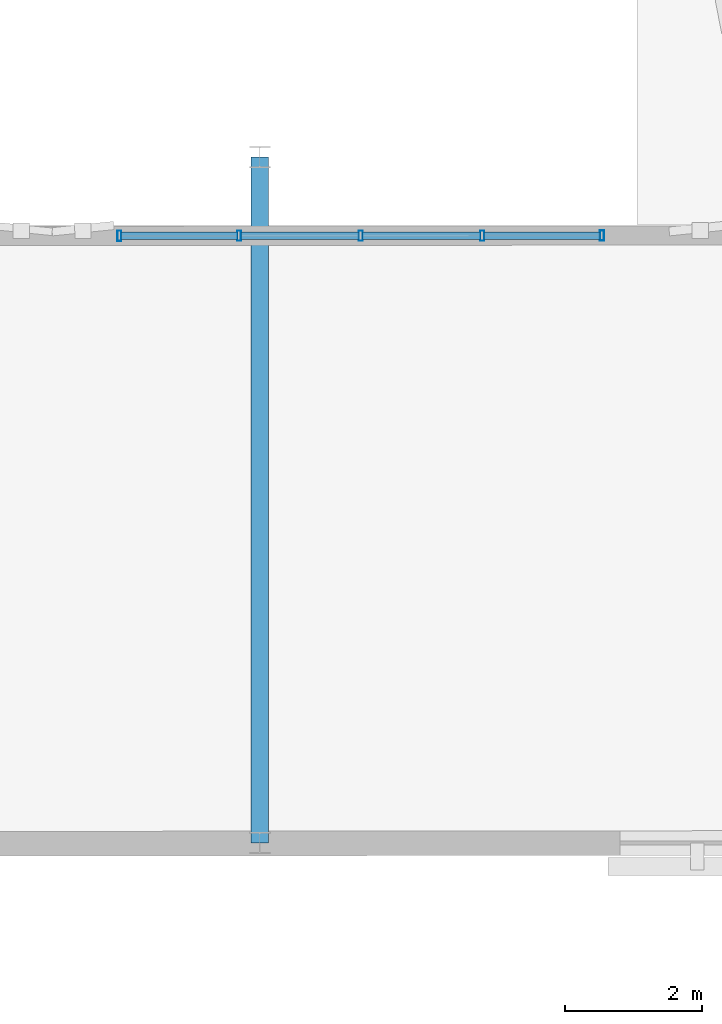
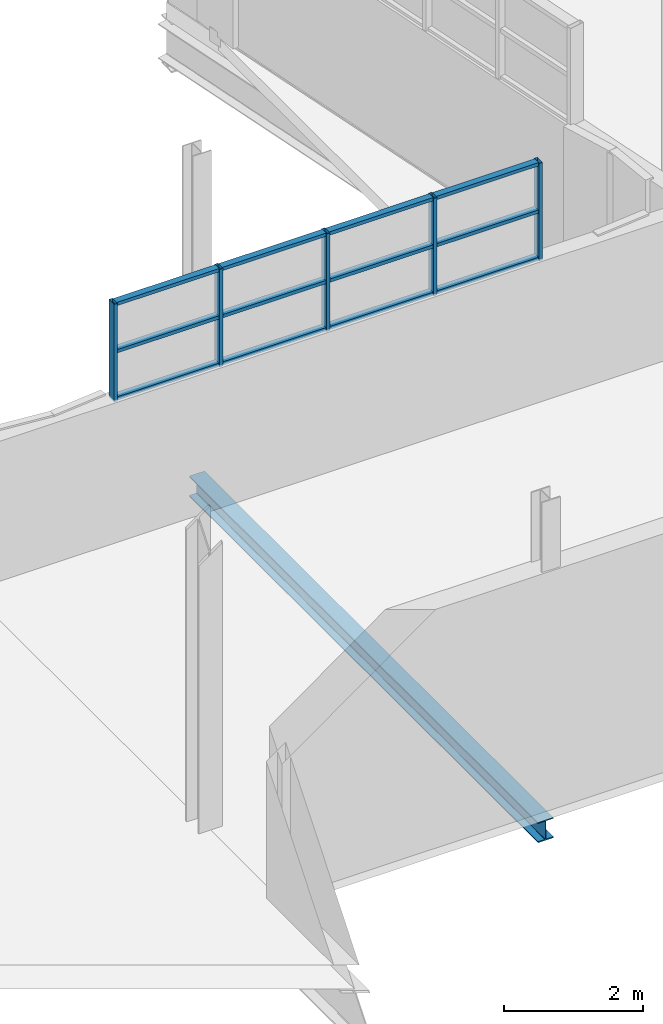
# One storey, part 16 of 142: 17 members, 1 beam, 1 element without a shape of its own.
"""IFC4 building model written with IfcOpenShell, lengths in metres."""

from ifc_helpers import new_model, si_unit, direction, frame, origin, origin_2d, place, context, subcontext, project, spatial, hollow_rectangle, i_section, extrude, material, layer, layer_set, material_profile, profile_set, type_object, element, aggregate, save


model = new_model("IFC4")

# Units and contexts
model_context = context("Model", 3, precision=1e-05, world=origin(), true_north=direction((0.0, 1.0)))
body_context = subcontext(model_context, "Body", "Model", "MODEL_VIEW")
ifc_project = project(units=[si_unit("LENGTHUNIT", "METRE"), si_unit("AREAUNIT", "SQUARE_METRE"), si_unit("VOLUMEUNIT", "CUBIC_METRE"), si_unit("PLANEANGLEUNIT", "RADIAN"), si_unit("MASSUNIT", "GRAM", prefix="KILO"), si_unit("THERMODYNAMICTEMPERATUREUNIT", "KELVIN"), si_unit("POWERUNIT", "WATT")], contexts=[model_context])

# Site, building, storey
site_placement = place(None, origin())
site = spatial("IfcSite", under=ifc_project, at=site_placement, CompositionType="ELEMENT")
building_placement = place(site_placement, origin())
building = spatial("IfcBuilding", under=site, at=building_placement, Name="Zelmaris Science Centre", CompositionType="ELEMENT")
storey_placement = place(building_placement, frame((0.0, 0.0, 5.39990234375)))
storey = spatial("IfcBuildingStorey", under=building, at=storey_placement, Name="L01", CompositionType="ELEMENT", Elevation=5.39990234375)

# Curtain wall, members
ifc_material_1 = material(Name="Anodised architectural aluminium 6063-T6", Category="aluminium")
ifc_layer = layer(ifc_material_1, 0.219970703125, Name="Anodised architectural aluminium 6063-T6")
ifc_layer_set = layer_set([ifc_layer], Name="Anodised architectural aluminium 6063-T6")
curtain_wall_type = type_object("IfcCurtainWallType", Name="Curtain Wall CW-04", PredefinedType="USERDEFINED", material=ifc_layer_set)
curtain_wall_placement = place(storey_placement, origin())
curtain_wall = element("IfcCurtainWall", 1, at=curtain_wall_placement, inside=storey, type_object=curtain_wall_type, Name="L01 Clerestory curtain wall 192", ObjectType="GLAZED CURTAIN WALL", PredefinedType="USERDEFINED")
ifc_material_profile_1 = material_profile(ifc_material_1, hollow_rectangle(XDim=0.06005859375, YDim=0.14990234375, WallThickness=0.00341796875, at=origin_2d()), Name="ALU-MUL-60X150")
ifc_profile_set_1 = profile_set([ifc_material_profile_1], Name="Anodised architectural aluminium 6063-T6")
member_type_1 = type_object("IfcMemberType", Name="ALU-MUL-60X150", PredefinedType="MULLION", material=ifc_profile_set_1)
member_1_placement = place(storey_placement, frame((56.452880859375, 30.8515625, 2.420166015625), z_axis=(0.0, 0.0, 1.0), x_axis=(0.99999980697, 0.000621337174, 0.0)))
member_1 = element("IfcMember", 2, at=member_1_placement, type_object=member_type_1, Name="CW-04 mullion 1", PredefinedType="MULLION", context=body_context, shape_type="SweptSolid", body=[
    extrude(hollow_rectangle(XDim=0.06005859375, YDim=0.14990234375, WallThickness=0.00341796875, at=origin_2d()), origin(), (0.0, 0.0, 1.0), 1.7080078125),
])
member_2_placement = place(storey_placement, frame((58.19921875, 30.852783203125, 2.420166015625), z_axis=(0.0, 0.0, 1.0), x_axis=(0.99999980697, 0.000621337174, 0.0)))
member_2 = element("IfcMember", 3, at=member_2_placement, type_object=member_type_1, Name="CW-04 mullion 2", PredefinedType="MULLION", context=body_context, shape_type="SweptSolid", body=[
    extrude(hollow_rectangle(XDim=0.06005859375, YDim=0.14990234375, WallThickness=0.00341796875, at=origin_2d()), origin(), (0.0, 0.0, 1.0), 1.7080078125),
])
member_3_placement = place(storey_placement, frame((59.9716796875, 30.853759765625, 2.420166015625), z_axis=(0.0, 0.0, 1.0), x_axis=(0.99999980697, 0.000621337174, 0.0)))
member_3 = element("IfcMember", 4, at=member_3_placement, type_object=member_type_1, Name="CW-04 mullion 3", PredefinedType="MULLION", context=body_context, shape_type="SweptSolid", body=[
    extrude(hollow_rectangle(XDim=0.06005859375, YDim=0.14990234375, WallThickness=0.00341796875, at=origin_2d()), origin(), (0.0, 0.0, 1.0), 1.7080078125),
])
member_4_placement = place(storey_placement, frame((61.744140625, 30.85498046875, 2.420166015625), z_axis=(0.0, 0.0, 1.0), x_axis=(0.99999980697, 0.000621337174, 0.0)))
member_4 = element("IfcMember", 5, at=member_4_placement, type_object=member_type_1, Name="CW-04 mullion 4", PredefinedType="MULLION", context=body_context, shape_type="SweptSolid", body=[
    extrude(hollow_rectangle(XDim=0.06005859375, YDim=0.14990234375, WallThickness=0.00341796875, at=origin_2d()), origin(), (0.0, 0.0, 1.0), 1.7080078125),
])
member_5_placement = place(storey_placement, frame((63.49072265625, 30.85595703125, 2.420166015625), z_axis=(0.0, 0.0, 1.0), x_axis=(0.99999980697, 0.000621337174, 0.0)))
member_5 = element("IfcMember", 6, at=member_5_placement, type_object=member_type_1, Name="CW-04 mullion 5", PredefinedType="MULLION", context=body_context, shape_type="SweptSolid", body=[
    extrude(hollow_rectangle(XDim=0.06005859375, YDim=0.14990234375, WallThickness=0.00341796875, at=origin_2d()), origin(), (0.0, 0.0, 1.0), 1.7080078125),
])
ifc_material_profile_2 = material_profile(ifc_material_1, hollow_rectangle(XDim=0.06005859375, YDim=0.110107421875, WallThickness=0.0029296875, at=origin_2d()), Name="ALU-TRN-60X110")
ifc_profile_set_2 = profile_set([ifc_material_profile_2], Name="Anodised architectural aluminium 6063-T6")
member_type_2 = type_object("IfcMemberType", Name="ALU-TRN-60X110", PredefinedType="USERDEFINED", material=ifc_profile_set_2)
member_6_placement = place(storey_placement, frame((56.478759765625, 30.8515625, 2.446044921875), z_axis=(0.999999740543, 0.00072035711, 0.0), x_axis=(0.0, 0.0, 1.0)))
member_6 = element("IfcMember", 7, at=member_6_placement, type_object=member_type_2, Name="CW-04 transom 1.1", ObjectType="TRANSOM", PredefinedType="USERDEFINED", context=body_context, shape_type="SweptSolid", body=[
    extrude(hollow_rectangle(XDim=0.06005859375, YDim=0.110107421875, WallThickness=0.0029296875, at=origin_2d()), origin(), (0.0, 0.0, 1.0), 1.694580078125),
])
member_7_placement = place(storey_placement, frame((56.478759765625, 30.8515625, 3.274169921875), z_axis=(0.999999740543, 0.00072035711, 0.0), x_axis=(0.0, 0.0, 1.0)))
member_7 = element("IfcMember", 8, at=member_7_placement, type_object=member_type_2, Name="CW-04 transom 1.2", ObjectType="TRANSOM", PredefinedType="USERDEFINED", context=body_context, shape_type="SweptSolid", body=[
    extrude(hollow_rectangle(XDim=0.06005859375, YDim=0.110107421875, WallThickness=0.0029296875, at=origin_2d()), origin(), (0.0, 0.0, 1.0), 1.694580078125),
])
member_8_placement = place(storey_placement, frame((56.478759765625, 30.8515625, 4.10205078125), z_axis=(0.999999740543, 0.00072035711, 0.0), x_axis=(0.0, 0.0, 1.0)))
member_8 = element("IfcMember", 9, at=member_8_placement, type_object=member_type_2, Name="CW-04 transom 1.3", ObjectType="TRANSOM", PredefinedType="USERDEFINED", context=body_context, shape_type="SweptSolid", body=[
    extrude(hollow_rectangle(XDim=0.06005859375, YDim=0.110107421875, WallThickness=0.0029296875, at=origin_2d()), origin(), (0.0, 0.0, 1.0), 1.694580078125),
])
member_9_placement = place(storey_placement, frame((58.225341796875, 30.852783203125, 2.446044921875), z_axis=(0.999999838905, 0.000567617334, 0.0), x_axis=(0.0, 0.0, 1.0)))
member_9 = element("IfcMember", 10, at=member_9_placement, type_object=member_type_2, Name="CW-04 transom 2.1", ObjectType="TRANSOM", PredefinedType="USERDEFINED", context=body_context, shape_type="SweptSolid", body=[
    extrude(hollow_rectangle(XDim=0.06005859375, YDim=0.110107421875, WallThickness=0.0029296875, at=origin_2d()), origin(), (0.0, 0.0, 1.0), 1.720458984375),
])
member_10_placement = place(storey_placement, frame((58.225341796875, 30.852783203125, 3.274169921875), z_axis=(0.999999838905, 0.000567617334, 0.0), x_axis=(0.0, 0.0, 1.0)))
member_10 = element("IfcMember", 11, at=member_10_placement, type_object=member_type_2, Name="CW-04 transom 2.2", ObjectType="TRANSOM", PredefinedType="USERDEFINED", context=body_context, shape_type="SweptSolid", body=[
    extrude(hollow_rectangle(XDim=0.06005859375, YDim=0.110107421875, WallThickness=0.0029296875, at=origin_2d()), origin(), (0.0, 0.0, 1.0), 1.720458984375),
])
member_11_placement = place(storey_placement, frame((58.225341796875, 30.852783203125, 4.10205078125), z_axis=(0.999999838905, 0.000567617334, 0.0), x_axis=(0.0, 0.0, 1.0)))
member_11 = element("IfcMember", 12, at=member_11_placement, type_object=member_type_2, Name="CW-04 transom 2.3", ObjectType="TRANSOM", PredefinedType="USERDEFINED", context=body_context, shape_type="SweptSolid", body=[
    extrude(hollow_rectangle(XDim=0.06005859375, YDim=0.110107421875, WallThickness=0.0029296875, at=origin_2d()), origin(), (0.0, 0.0, 1.0), 1.720458984375),
])
member_12_placement = place(storey_placement, frame((59.997802734375, 30.853759765625, 2.446044921875), z_axis=(0.99999974829, 0.000709521604, 0.0), x_axis=(0.0, 0.0, 1.0)))
member_12 = element("IfcMember", 13, at=member_12_placement, type_object=member_type_2, Name="CW-04 transom 3.1", ObjectType="TRANSOM", PredefinedType="USERDEFINED", context=body_context, shape_type="SweptSolid", body=[
    extrude(hollow_rectangle(XDim=0.06005859375, YDim=0.110107421875, WallThickness=0.0029296875, at=origin_2d()), origin(), (0.0, 0.0, 1.0), 1.720458984375),
])
member_13_placement = place(storey_placement, frame((59.997802734375, 30.853759765625, 3.274169921875), z_axis=(0.99999974829, 0.000709521604, 0.0), x_axis=(0.0, 0.0, 1.0)))
member_13 = element("IfcMember", 14, at=member_13_placement, type_object=member_type_2, Name="CW-04 transom 3.2", ObjectType="TRANSOM", PredefinedType="USERDEFINED", context=body_context, shape_type="SweptSolid", body=[
    extrude(hollow_rectangle(XDim=0.06005859375, YDim=0.110107421875, WallThickness=0.0029296875, at=origin_2d()), origin(), (0.0, 0.0, 1.0), 1.720458984375),
])
member_14_placement = place(storey_placement, frame((59.997802734375, 30.853759765625, 4.10205078125), z_axis=(0.99999974829, 0.000709521604, 0.0), x_axis=(0.0, 0.0, 1.0)))
member_14 = element("IfcMember", 15, at=member_14_placement, type_object=member_type_2, Name="CW-04 transom 3.3", ObjectType="TRANSOM", PredefinedType="USERDEFINED", context=body_context, shape_type="SweptSolid", body=[
    extrude(hollow_rectangle(XDim=0.06005859375, YDim=0.110107421875, WallThickness=0.0029296875, at=origin_2d()), origin(), (0.0, 0.0, 1.0), 1.720458984375),
])
member_15_placement = place(storey_placement, frame((61.770263671875, 30.85498046875, 2.446044921875), z_axis=(0.9999998339, 0.00057636878, 0.0), x_axis=(0.0, 0.0, 1.0)))
member_15 = element("IfcMember", 16, at=member_15_placement, type_object=member_type_2, Name="CW-04 transom 4.1", ObjectType="TRANSOM", PredefinedType="USERDEFINED", context=body_context, shape_type="SweptSolid", body=[
    extrude(hollow_rectangle(XDim=0.06005859375, YDim=0.110107421875, WallThickness=0.0029296875, at=origin_2d()), origin(), (0.0, 0.0, 1.0), 1.6943359375),
])
member_16_placement = place(storey_placement, frame((61.770263671875, 30.85498046875, 3.274169921875), z_axis=(0.9999998339, 0.00057636878, 0.0), x_axis=(0.0, 0.0, 1.0)))
member_16 = element("IfcMember", 17, at=member_16_placement, type_object=member_type_2, Name="CW-04 transom 4.2", ObjectType="TRANSOM", PredefinedType="USERDEFINED", context=body_context, shape_type="SweptSolid", body=[
    extrude(hollow_rectangle(XDim=0.06005859375, YDim=0.110107421875, WallThickness=0.0029296875, at=origin_2d()), origin(), (0.0, 0.0, 1.0), 1.6943359375),
])
member_17_placement = place(storey_placement, frame((61.770263671875, 30.85498046875, 4.10205078125), z_axis=(0.9999998339, 0.00057636878, 0.0), x_axis=(0.0, 0.0, 1.0)))
member_17 = element("IfcMember", 18, at=member_17_placement, type_object=member_type_2, Name="CW-04 transom 4.3", ObjectType="TRANSOM", PredefinedType="USERDEFINED", context=body_context, shape_type="SweptSolid", body=[
    extrude(hollow_rectangle(XDim=0.06005859375, YDim=0.110107421875, WallThickness=0.0029296875, at=origin_2d()), origin(), (0.0, 0.0, 1.0), 1.6943359375),
])
aggregate(curtain_wall, [member_1, member_2, member_3, member_4, member_5, member_6, member_7, member_8, member_9, member_10, member_11, member_12, member_13, member_14, member_15, member_16, member_17])

# Beam
ifc_material_2 = material(Name="Steel ASTM A992 Grade 50", Category="steel")
ifc_material_profile_3 = material_profile(ifc_material_2, i_section(OverallWidth=0.25390625, OverallDepth=0.35595703125, WebThickness=0.010498046875, FlangeThickness=0.018310546875, FilletRadius=0.014892578125, at=origin_2d()), Name="W14X68")
ifc_profile_set_3 = profile_set([ifc_material_profile_3], Name="Steel ASTM A992 Grade 50")
beam_type = type_object("IfcBeamType", Name="Beam G-41 W14X68", PredefinedType="BEAM", material=ifc_profile_set_3)
beam_placement = place(storey_placement, frame((58.5, 22.0, -0.477783203125), z_axis=(0.0, 1.0, 0.0), x_axis=(-1.0, 0.0, 0.0)))
element("IfcBeam", 19, at=beam_placement, inside=storey, type_object=beam_type, Name="L01 North-south girder 278", PredefinedType="BEAM", context=body_context, shape_type="SweptSolid", body=[
    extrude(i_section(OverallWidth=0.25390625, OverallDepth=0.35595703125, WebThickness=0.010498046875, FlangeThickness=0.018310546875, FilletRadius=0.014892578125, at=origin_2d()), origin(), (0.0, 0.0, 1.0), 10.0),
])

save(model, "model.ifc")
